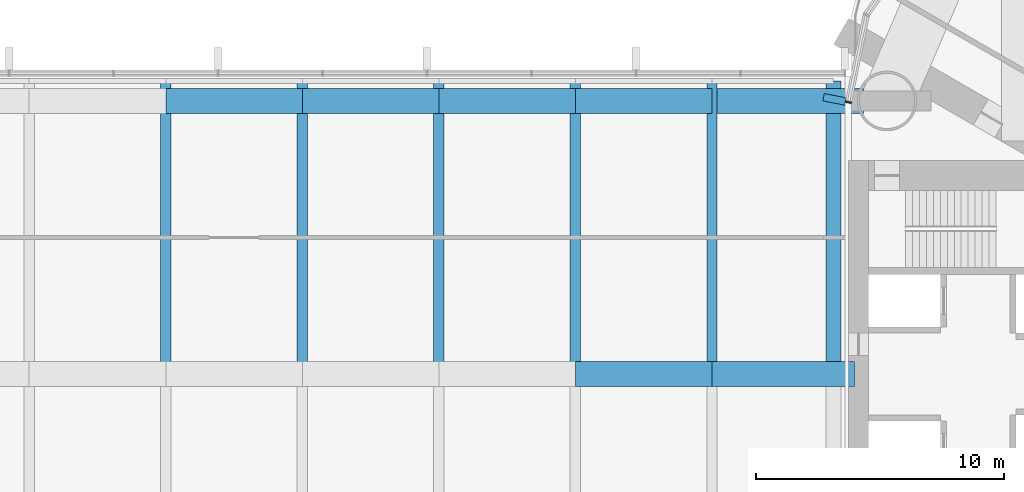
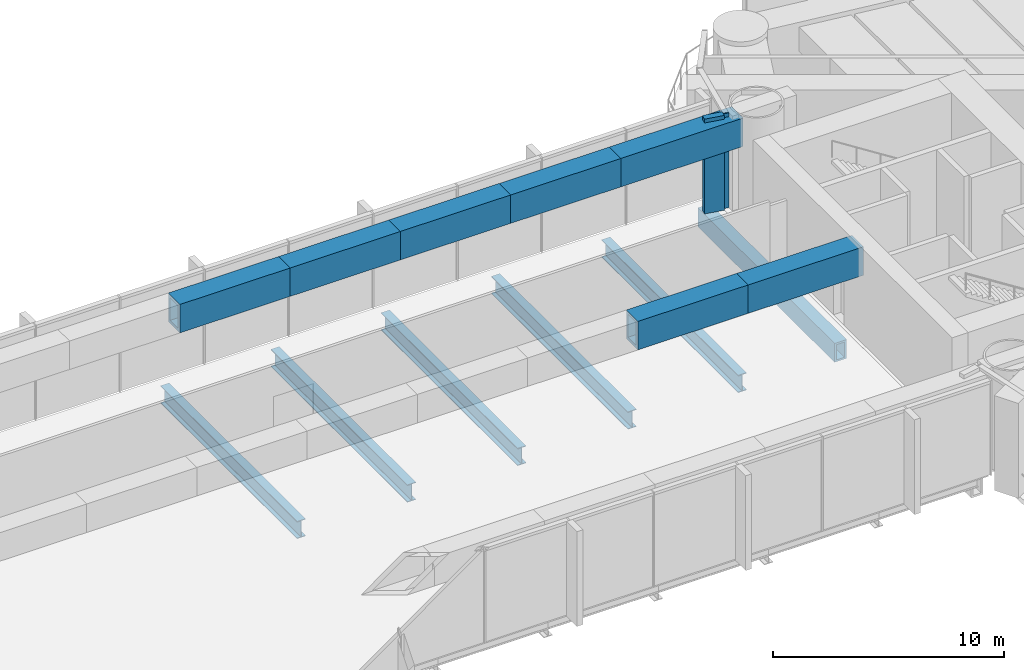
# One storey, part 8 of 22: 9 members, 6 beams, 1 element without a shape of its own.
"""IFC4 building model written with IfcOpenShell, lengths in metres."""

from ifc_helpers import new_model, si_unit, direction, frame, origin, origin_2d, place, context, subcontext, project, spatial, rectangle, hollow_rectangle, i_section, extrude, material, material_profile, profile_set, type_object, element, aggregate, save


model = new_model("IFC4")

# Units and contexts
model_context = context("Model", 3, precision=1e-05, world=origin(), true_north=direction((0.0, 1.0)))
body_context = subcontext(model_context, "Body", "Model", "MODEL_VIEW")
ifc_project = project(units=[si_unit("LENGTHUNIT", "METRE"), si_unit("AREAUNIT", "SQUARE_METRE"), si_unit("VOLUMEUNIT", "CUBIC_METRE"), si_unit("PLANEANGLEUNIT", "RADIAN"), si_unit("MASSUNIT", "GRAM", prefix="KILO")], contexts=[model_context])

# Site, building, storey
site_placement = place(None, origin())
site = spatial("IfcSite", under=ifc_project, at=site_placement, CompositionType="ELEMENT")
building_placement = place(site_placement, origin())
building = spatial("IfcBuilding", under=site, at=building_placement, Name="Lancet Gate Hotel", CompositionType="ELEMENT")
storey_placement = place(building_placement, frame((0.0, 0.0, 210.300048828125)))
storey = spatial("IfcBuildingStorey", under=building, at=storey_placement, Name="L56", CompositionType="ELEMENT", Elevation=210.300048828125)

# Curtain wall, member
ifc_material_1 = material(Name="Aluminium curtain wall", Category="aluminium")
curtain_wall_type = type_object("IfcCurtainWallType", Name="Refuge storey louvred curtain wall", PredefinedType="USERDEFINED", material=ifc_material_1)
curtain_wall_placement = place(storey_placement, origin())
curtain_wall = element("IfcCurtainWall", 1, at=curtain_wall_placement, inside=storey, type_object=curtain_wall_type, Name="T2 L56 curtain wall 8", ObjectType="LANTERN GLAZING", PredefinedType="USERDEFINED")
ifc_material_2 = material(Name="Aluminium mullion", Category="aluminium")
ifc_material_profile_1 = material_profile(ifc_material_2, rectangle(XDim=0.06494140625, YDim=0.25, at=origin_2d()), Name="MULLION 65x250")
ifc_profile_set_1 = profile_set([ifc_material_profile_1], Name="Aluminium mullion")
member_type_1 = type_object("IfcMemberType", Name="Aluminium mullion 65x250", PredefinedType="MULLION", material=ifc_profile_set_1)
member_1_placement = place(storey_placement, frame((27.5, 10.947998046875, 0.0), z_axis=(0.0, 0.0, 1.0), x_axis=(-0.199533486841, -0.979891008036, 0.0)))
member_1 = element("IfcMember", 2, at=member_1_placement, type_object=member_type_1, Name="T2 L56 curtain wall 8 mullion 3", PredefinedType="MULLION", context=body_context, shape_type="SweptSolid", body=[
    extrude(rectangle(XDim=0.06494140625, YDim=0.25, at=origin_2d()), origin(), (0.0, 0.0, 1.0), 5.0),
])

# Beams
ifc_material_3 = material(Name="Steel S460QL", Category="steel")
ifc_material_profile_2 = material_profile(ifc_material_3, hollow_rectangle(XDim=0.60009765625, YDim=1.0, WallThickness=0.10009765625, at=origin_2d()), Name="BOX 1000x600x100")
ifc_profile_set_2 = profile_set([ifc_material_profile_2], Name="Steel S460QL")
beam_type_1 = type_object("IfcBeamType", Name="Block end beam BOX 1000x600x100", PredefinedType="BEAM", material=ifc_profile_set_2)
beam_placement = place(storey_placement, frame((26.89990234375, 0.0, -0.699951171875), z_axis=(0.0, 1.0, 0.0), x_axis=(-1.0, 0.0, 0.0)))
element("IfcBeam", 3, at=beam_placement, inside=storey, type_object=beam_type_1, Name="Block beam x10 N L56", PredefinedType="BEAM", context=body_context, shape_type="SweptSolid", body=[
    extrude(hollow_rectangle(XDim=0.60009765625, YDim=1.0, WallThickness=0.10009765625, at=origin_2d()), origin(), (0.0, 0.0, 1.0), 11.800048828125),
])
ifc_material_4 = material(Name="Steel S355", Category="steel")
ifc_material_profile_3 = material_profile(ifc_material_4, i_section(OverallWidth=0.42041015625, OverallDepth=0.9208984375, WebThickness=0.021484375, FlangeThickness=0.03662109375, FilletRadius=0.024169921875, at=origin_2d()), Name="UKB 914x419x388")
ifc_profile_set_3 = profile_set([ifc_material_profile_3], Name="Steel S355")
beam_type_2 = type_object("IfcBeamType", Name="Block plant floor beam UKB 914x419x388", PredefinedType="JOIST", material=ifc_profile_set_3)
for number, where, z_axis, x_axis, name in (
    (4, (0.0, 0.0, -0.66064453125), (0.0, 1.0, 0.0), (-1.0, 0.0, 0.0), "Block beam x5 N L56"),
    (5, (5.5, 0.0, -0.66064453125), (0.0, 1.0, 0.0), (-1.0, 0.0, 0.0), "Block beam x6 N L56"),
    (6, (11.0, 0.0, -0.66064453125), (0.0, 1.0, 0.0), (-1.0, 0.0, 0.0), "Block beam x7 N L56"),
    (7, (16.5, 0.0, -0.66064453125), (0.0, 1.0, 0.0), (-1.0, 0.0, 0.0), "Block beam x8 N L56"),
    (8, (22.0, 0.0, -0.66064453125), (0.0, 1.0, 0.0), (-1.0, 0.0, 0.0), "Block beam x9 N L56"),
):
    element("IfcBeam", number, at=place(storey_placement, frame(where, z_axis=z_axis, x_axis=x_axis)), inside=storey, type_object=beam_type_2, Name=name, PredefinedType="JOIST", context=body_context, shape_type="SweptSolid", body=[
        extrude(i_section(OverallWidth=0.42041015625, OverallDepth=0.9208984375, WebThickness=0.021484375, FlangeThickness=0.03662109375, FilletRadius=0.024169921875, at=origin_2d()), origin(), (0.0, 0.0, 1.0), 11.800048828125),
    ])

# Member
ifc_material_5 = material(Name="Precast concrete C50/60", Category="concrete")
ifc_material_profile_4 = material_profile(ifc_material_5, rectangle(XDim=0.300048828125, YDim=0.89990234375, at=origin_2d()), Name="FIN 300x900")
ifc_profile_set_4 = profile_set([ifc_material_profile_4], Name="Precast concrete C50/60")
member_type_2 = type_object("IfcMemberType", Name="Exposed concrete fin 300x900", PredefinedType="USERDEFINED", material=ifc_profile_set_4)
member_2_placement = place(storey_placement, frame((26.9365234375, 11.062744140625, 0.0), z_axis=(0.0, 0.0, 1.0), x_axis=(-0.199533486841, -0.979891008036, 0.0)))
member_2 = element("IfcMember", 9, at=member_2_placement, type_object=member_type_2, Name="T2 L56 curtain wall 8 fin 3", ObjectType="FIN", PredefinedType="USERDEFINED", context=body_context, shape_type="SweptSolid", body=[
    extrude(rectangle(XDim=0.300048828125, YDim=0.89990234375, at=origin_2d()), origin(), (0.0, 0.0, 1.0), 5.0),
])

aggregate(curtain_wall, [member_1, member_2])

# Members
ifc_material_6 = material(Name="Steel S460QL", Category="steel")
ifc_material_profile_5 = material_profile(ifc_material_6, hollow_rectangle(XDim=1.0, YDim=1.5, WallThickness=0.14990234375, at=origin_2d()), Name="BOX 1500x1000x150")
ifc_profile_set_5 = profile_set([ifc_material_profile_5], Name="Steel S460QL")
member_type_3 = type_object("IfcMemberType", Name="Truss chord BOX 1500x1000x150", PredefinedType="CHORD", material=ifc_profile_set_5)
member_3_placement = place(storey_placement, frame((16.5, 0.0, 4.050048828125), z_axis=(1.0, 0.0, 0.0), x_axis=(0.0, 1.0, 0.0)))
element("IfcMember", 10, at=member_3_placement, inside=storey, type_object=member_type_3, Name="Truss M top chord panel 9", PredefinedType="CHORD", context=body_context, shape_type="SweptSolid", body=[
    extrude(hollow_rectangle(XDim=1.0, YDim=1.5, WallThickness=0.14990234375, at=origin_2d()), origin(), (0.0, 0.0, 1.0), 5.5),
])
member_4_placement = place(storey_placement, frame((22.0, 0.0, 4.050048828125), z_axis=(1.0, 0.0, 0.0), x_axis=(0.0, 1.0, 0.0)))
element("IfcMember", 11, at=member_4_placement, inside=storey, type_object=member_type_3, Name="Truss M top chord panel 10", PredefinedType="CHORD", context=body_context, shape_type="SweptSolid", body=[
    extrude(hollow_rectangle(XDim=1.0, YDim=1.5, WallThickness=0.14990234375, at=origin_2d()), origin(), (0.0, 0.0, 1.0), 5.75),
])
for number, where, z_axis, x_axis, name in (
    (12, (0.0, 11.0, 4.050048828125), (1.0, 0.0, 0.0), (0.0, 1.0, 0.0), "Truss N top chord panel 6"),
    (13, (5.5, 11.0, 4.050048828125), (1.0, 0.0, 0.0), (0.0, 1.0, 0.0), "Truss N top chord panel 7"),
    (14, (11.0, 11.0, 4.050048828125), (1.0, 0.0, 0.0), (0.0, 1.0, 0.0), "Truss N top chord panel 8"),
    (15, (16.5, 11.0, 4.050048828125), (1.0, 0.0, 0.0), (0.0, 1.0, 0.0), "Truss N top chord panel 9"),
):
    element("IfcMember", number, at=place(storey_placement, frame(where, z_axis=z_axis, x_axis=x_axis)), inside=storey, type_object=member_type_3, Name=name, PredefinedType="CHORD", context=body_context, shape_type="SweptSolid", body=[
        extrude(hollow_rectangle(XDim=1.0, YDim=1.5, WallThickness=0.14990234375, at=origin_2d()), origin(), (0.0, 0.0, 1.0), 5.5),
    ])
member_5_placement = place(storey_placement, frame((22.0, 11.0, 4.050048828125), z_axis=(1.0, 0.0, 0.0), x_axis=(0.0, 1.0, 0.0)))
element("IfcMember", 16, at=member_5_placement, inside=storey, type_object=member_type_3, Name="Truss N top chord panel 10", PredefinedType="CHORD", context=body_context, shape_type="SweptSolid", body=[
    extrude(hollow_rectangle(XDim=1.0, YDim=1.5, WallThickness=0.14990234375, at=origin_2d()), origin(), (0.0, 0.0, 1.0), 6.10009765625),
])

save(model, "model.ifc")
